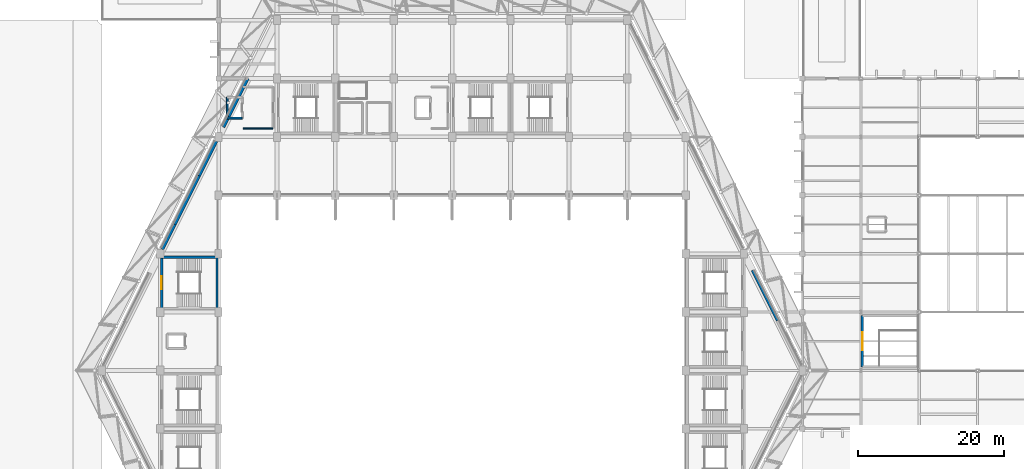
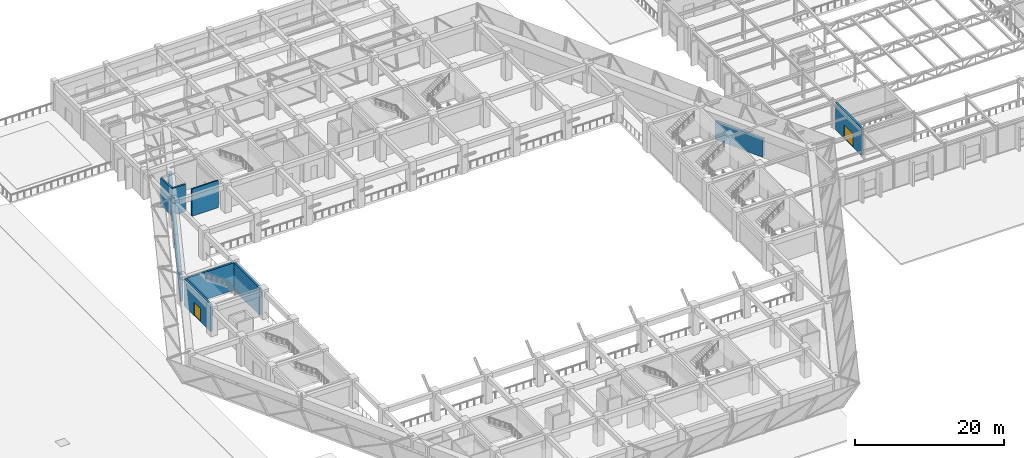
# One storey, part 32 of 46: 12 walls, 2 doors, 2 openings.
"""IFC4 building model written with IfcOpenShell, lengths in metres."""

from ifc_helpers import new_model, si_unit, direction, frame, frame_2d, origin, place, context, subcontext, project, spatial, rectangle, extrude, material, layer, layer_set, type_object, element, fill, save


model = new_model("IFC4")

# Units and contexts
model_context = context("Model", 3, precision=1e-05, world=origin(), true_north=direction((0.0, 1.0)))
body_context = subcontext(model_context, "Body", "Model", "MODEL_VIEW")
ifc_project = project(units=[si_unit("LENGTHUNIT", "METRE"), si_unit("AREAUNIT", "SQUARE_METRE"), si_unit("VOLUMEUNIT", "CUBIC_METRE"), si_unit("PLANEANGLEUNIT", "RADIAN"), si_unit("MASSUNIT", "GRAM", prefix="KILO")], contexts=[model_context])

# Site, building, storey
site_placement = place(None, origin())
site = spatial("IfcSite", under=ifc_project, at=site_placement, CompositionType="ELEMENT")
building_placement = place(site_placement, origin())
building = spatial("IfcBuilding", under=site, at=building_placement, Name="Tazarka Park Arena", CompositionType="ELEMENT")
storey_placement = place(building_placement, frame((0.0, 0.0, 10.199951171875)))
storey = spatial("IfcBuildingStorey", under=building, at=storey_placement, Name="L02", CompositionType="ELEMENT", Elevation=10.199951171875)

# Wall, opening, door
ifc_material_1 = material(Name="Concrete C40/50", Category="concrete")
ifc_layer_1 = layer(ifc_material_1, 0.300048828125, Name="Concrete C40/50")
ifc_layer_set_1 = layer_set([ifc_layer_1], Name="Concrete C40/50")
wall_type_1 = type_object("IfcWallType", Name="IWAL-CW-S1", PredefinedType="SHEAR", material=ifc_layer_set_1)
wall_1_placement = place(storey_placement, frame((144.199951171875, 64.5, 0.0), z_axis=(0.0, 0.0, 1.0), x_axis=(0.0, 1.0, 0.0)))
wall_1 = element("IfcWall", 1, at=wall_1_placement, inside=storey, type_object=wall_type_1, Name="SCW-L02-ST18-W", PredefinedType="SHEAR", context=body_context, shape_type="SweptSolid", body=[
    extrude(rectangle(XDim=7.0, YDim=0.300048828125, at=frame_2d((3.5, 0.0))), origin(), (0.0, 0.0, 1.0), 4.4599609375),
])
opening_1_placement = place(wall_1_placement, frame((2.300048828125, 0.0, 0.0)))
opening_1 = element("IfcOpeningElement", 2, at=opening_1_placement, cuts=wall_1, Name="Opening ID-05", PredefinedType="OPENING", context=body_context, shape_type="SweptSolid", body=[
    extrude(rectangle(XDim=2.39990234375, YDim=2.199951171875, at=frame_2d((1.199951171875, 1.10009765625))), frame((0.0, 0.16015625, 0.0), z_axis=(0.0, -1.0, 0.0), x_axis=(1.0, 0.0, 0.0)), (0.0, 0.0, 1.0), 0.320068359375),
])
ifc_material_2 = material(Name="Fire-rated powder-coated steel and acoustic timber", Category="steel")
door_type_1 = type_object("IfcDoorType", Name="IDR-ID-05", OperationType="NOTDEFINED", PredefinedType="DOOR", material=ifc_material_2)
door_1_placement = place(opening_1_placement, frame((2.39990234375, 0.0, 0.0), z_axis=(0.0, 0.0, 1.0), x_axis=(-1.0, 0.0, 0.0)))
door_1 = element("IfcDoor", 3, at=door_1_placement, inside=storey, type_object=door_type_1, Name="Exit Stair Door ST18-L02", OperationType="DOUBLE_DOOR_SINGLE_SWING", OverallHeight=2.199951171875, OverallWidth=2.39990234375, PredefinedType="DOOR", context=body_context, shape_type="SweptSolid", body=[
    extrude(rectangle(XDim=2.39990234375, YDim=2.199951171875, at=frame_2d((1.199951171875, 1.10009765625))), frame((0.0, 0.02490234375, 0.0), z_axis=(0.0, -1.0, 0.0), x_axis=(1.0, 0.0, 0.0)), (0.0, 0.0, 1.0), 0.050048828125),
])
fill(opening_1, door_1)

wall_2_placement = place(storey_placement, frame((48.199951171875, 72.5, 0.0), z_axis=(0.0, 0.0, 1.0), x_axis=(0.0, 1.0, 0.0)))
wall_2 = element("IfcWall", 4, at=wall_2_placement, inside=storey, type_object=wall_type_1, Name="SCW-L02-ST20-W", PredefinedType="SHEAR", context=body_context, shape_type="SweptSolid", body=[
    extrude(rectangle(XDim=7.0, YDim=0.300048828125, at=frame_2d((3.5, 0.0))), origin(), (0.0, 0.0, 1.0), 4.4599609375),
])
opening_2_placement = place(wall_2_placement, frame((2.60009765625, 0.0, 0.0)))
opening_2 = element("IfcOpeningElement", 5, at=opening_2_placement, cuts=wall_2, Name="Opening ID-04", PredefinedType="OPENING", context=body_context, shape_type="SweptSolid", body=[
    extrude(rectangle(XDim=1.800048828125, YDim=2.199951171875, at=frame_2d((0.89990234375, 1.10009765625))), frame((0.0, 0.16015625, 0.0), z_axis=(0.0, -1.0, 0.0), x_axis=(1.0, 0.0, 0.0)), (0.0, 0.0, 1.0), 0.320068359375),
])
ifc_material_3 = material(Name="Fire-rated powder-coated steel and acoustic timber", Category="steel")
door_type_2 = type_object("IfcDoorType", Name="IDR-ID-04", OperationType="NOTDEFINED", PredefinedType="DOOR", material=ifc_material_3)
door_2_placement = place(opening_2_placement, frame((1.800048828125, 0.0, 0.0), z_axis=(0.0, 0.0, 1.0), x_axis=(-1.0, 0.0, 0.0)))
door_2 = element("IfcDoor", 6, at=door_2_placement, inside=storey, type_object=door_type_2, Name="Vomitory Stair Door ST20-L02", OperationType="DOUBLE_DOOR_SINGLE_SWING", OverallHeight=2.199951171875, OverallWidth=1.800048828125, PredefinedType="DOOR", context=body_context, shape_type="SweptSolid", body=[
    extrude(rectangle(XDim=1.800048828125, YDim=2.199951171875, at=frame_2d((0.89990234375, 1.10009765625))), frame((0.0, 0.02490234375, 0.0), z_axis=(0.0, -1.0, 0.0), x_axis=(1.0, 0.0, 0.0)), (0.0, 0.0, 1.0), 0.050048828125),
])
fill(opening_2, door_2)

# Walls
wall_3_placement = place(storey_placement, frame((48.199951171875, 79.5, 0.0), z_axis=(0.0, 0.0, 1.0), x_axis=(1.0, 0.0, 0.0)))
element("IfcWall", 7, at=wall_3_placement, inside=storey, type_object=wall_type_1, Name="SCW-L02-ST20-N", PredefinedType="SHEAR", context=body_context, shape_type="SweptSolid", body=[
    extrude(rectangle(XDim=7.60009765625, YDim=0.300048828125, at=frame_2d((3.800048828125, 0.0))), origin(), (0.0, 0.0, 1.0), 4.4599609375),
])
wall_4_placement = place(storey_placement, frame((55.800048828125, 79.5, 0.0), z_axis=(0.0, 0.0, 1.0), x_axis=(0.0, -1.0, 0.0)))
element("IfcWall", 8, at=wall_4_placement, inside=storey, type_object=wall_type_1, Name="SCW-L02-ST20-E", PredefinedType="SHEAR", context=body_context, shape_type="SweptSolid", body=[
    extrude(rectangle(XDim=7.0, YDim=0.300048828125, at=frame_2d((3.5, 0.0))), origin(), (0.0, 0.0, 1.0), 4.4599609375),
])
ifc_material_4 = material(Name="Concrete C40/50", Category="concrete")
ifc_layer_2 = layer(ifc_material_4, 0.260009765625, Name="Concrete C40/50")
ifc_layer_set_2 = layer_set([ifc_layer_2], Name="Concrete C40/50")
wall_type_2 = type_object("IfcWallType", Name="IWAL-CW-S3", PredefinedType="SHEAR", material=ifc_layer_set_2)
wall_5_placement = place(storey_placement, frame((57.179931640625, 98.580078125, 0.0), z_axis=(0.0, 0.0, 1.0), x_axis=(0.0, 1.0, 0.0)))
element("IfcWall", 9, at=wall_5_placement, inside=storey, type_object=wall_type_2, Name="LSW-L02-LF-02-W", PredefinedType="SHEAR", context=body_context, shape_type="SweptSolid", body=[
    extrude(rectangle(XDim=2.83984375, YDim=0.260009765625, at=frame_2d((1.419921875, 0.0))), origin(), (0.0, 0.0, 1.0), 4.4599609375),
])
wall_6_placement = place(storey_placement, frame((59.219970703125, 98.580078125, 0.0), z_axis=(0.0, 0.0, 1.0), x_axis=(-1.0, 0.0, 0.0)))
element("IfcWall", 10, at=wall_6_placement, inside=storey, type_object=wall_type_2, Name="LSW-L02-LF-02-S", PredefinedType="SHEAR", context=body_context, shape_type="SweptSolid", body=[
    extrude(rectangle(XDim=2.0400390625, YDim=0.260009765625, at=frame_2d((1.02001953125, 0.0))), origin(), (0.0, 0.0, 1.0), 4.4599609375),
])
ifc_material_5 = material(Name="Reinforced masonry compartment wall", Category="masonry")
ifc_layer_3 = layer(ifc_material_5, 0.199951171875, Name="Reinforced masonry compartment wall")
ifc_layer_set_3 = layer_set([ifc_layer_3], Name="Reinforced masonry compartment wall")
wall_type_3 = type_object("IfcWallType", Name="IWAL-PT-04", PredefinedType="PARTITIONING", material=ifc_layer_set_3)
wall_7_placement = place(storey_placement, frame((63.449951171875, 97.14990234375, 0.0), z_axis=(0.0, 0.0, 1.0), x_axis=(-1.0, 0.0, 0.0)))
element("IfcWall", 11, at=wall_7_placement, inside=storey, type_object=wall_type_3, Name="FFW-L02-LF-02-S", PredefinedType="PARTITIONING", context=body_context, shape_type="SweptSolid", body=[
    extrude(rectangle(XDim=4.099853515625, YDim=0.199951171875, at=frame_2d((2.0498046875, 0.0))), origin(), (0.0, 0.0, 1.0), 4.4599609375),
])
ifc_material_6 = material(Name="Concrete C50/60", Category="concrete")
ifc_layer_4 = layer(ifc_material_6, 0.389892578125, Name="Concrete C50/60")
ifc_layer_set_4 = layer_set([ifc_layer_4], Name="Concrete C50/60")
wall_type_4 = type_object("IfcWallType", Name="WAL-EW-13", PredefinedType="SOLIDWALL", material=ifc_layer_set_4)
wall_8_placement = place(storey_placement, frame((129.142822265625, 77.71435546875, 0.0), z_axis=(0.0, 0.0, 1.0), x_axis=(0.447200857411, -0.894433559931, 0.0)))
element("IfcWall", 12, at=wall_8_placement, inside=storey, type_object=wall_type_4, Name="EW-L02-0220", PredefinedType="SOLIDWALL", context=body_context, shape_type="SweptSolid", body=[
    extrude(rectangle(XDim=7.66650390625, YDim=0.389892578125, at=frame_2d((3.833251953125, 0.0))), origin(), (0.0, 0.0, 1.0), 3.0),
])
wall_9_placement = place(storey_placement, frame((48.2900390625, 80.580078125, 0.0), z_axis=(0.0, 0.0, 1.0), x_axis=(0.4472135955, 0.894427191, 0.0)))
element("IfcWall", 13, at=wall_9_placement, inside=storey, type_object=wall_type_4, Name="EW-L02-0236", PredefinedType="SOLIDWALL", context=body_context, shape_type="SweptSolid", body=[
    extrude(rectangle(XDim=3.823486328125, YDim=0.389892578125, at=frame_2d((1.91162109375, 0.0))), origin(), (0.0, 0.0, 1.0), 3.0),
])
ifc_material_7 = material(Name="Concrete C50/60", Category="concrete")
ifc_layer_5 = layer(ifc_material_7, 0.409912109375, Name="Concrete C50/60")
ifc_layer_set_5 = layer_set([ifc_layer_5], Name="Concrete C50/60")
wall_type_5 = type_object("IfcWallType", Name="WAL-EW-14", PredefinedType="SOLIDWALL", material=ifc_layer_set_5)
wall_10_placement = place(storey_placement, frame((50.0, 84.0, 0.0), z_axis=(0.0, 0.0, 1.0), x_axis=(0.447200493555, 0.894433741852, 0.0)))
element("IfcWall", 14, at=wall_10_placement, inside=storey, type_object=wall_type_5, Name="EW-L02-0237", PredefinedType="SOLIDWALL", context=body_context, shape_type="SweptSolid", body=[
    extrude(rectangle(XDim=7.45361328125, YDim=0.409912109375, at=frame_2d((3.726806640625, 0.0))), origin(), (0.0, 0.0, 1.0), 3.0),
])
ifc_material_8 = material(Name="Concrete C50/60", Category="concrete")
ifc_layer_6 = layer(ifc_material_8, 0.419921875, Name="Concrete C50/60")
ifc_layer_set_6 = layer_set([ifc_layer_6], Name="Concrete C50/60")
wall_type_6 = type_object("IfcWallType", Name="WAL-EW-15", PredefinedType="SOLIDWALL", material=ifc_layer_set_6)
wall_11_placement = place(storey_placement, frame((53.333251953125, 90.666748046875, 0.0), z_axis=(0.0, 0.0, 1.0), x_axis=(0.447231971655, 0.894418002686, 0.0)))
element("IfcWall", 15, at=wall_11_placement, inside=storey, type_object=wall_type_6, Name="EW-L02-0238", PredefinedType="SOLIDWALL", context=body_context, shape_type="SweptSolid", body=[
    extrude(rectangle(XDim=5.314208984375, YDim=0.419921875, at=frame_2d((2.6572265625, 0.0))), origin(), (0.0, 0.0, 1.0), 3.0),
])
ifc_material_9 = material(Name="Concrete C50/60", Category="concrete")
ifc_layer_7 = layer(ifc_material_9, 0.429931640625, Name="Concrete C50/60")
ifc_layer_set_7 = layer_set([ifc_layer_7], Name="Concrete C50/60")
wall_type_7 = type_object("IfcWallType", Name="WAL-EW-16", PredefinedType="SOLIDWALL", material=ifc_layer_set_7)
wall_12_placement = place(storey_placement, frame((56.666748046875, 97.333251953125, 0.0), z_axis=(0.0, 0.0, 1.0), x_axis=(0.447200493555, 0.894433741852, 0.0)))
element("IfcWall", 16, at=wall_12_placement, inside=storey, type_object=wall_type_7, Name="EW-L02-0239", PredefinedType="SOLIDWALL", context=body_context, shape_type="SweptSolid", body=[
    extrude(rectangle(XDim=7.45361328125, YDim=0.429931640625, at=frame_2d((3.726806640625, 0.0))), origin(), (0.0, 0.0, 1.0), 3.0),
])

save(model, "model.ifc")
